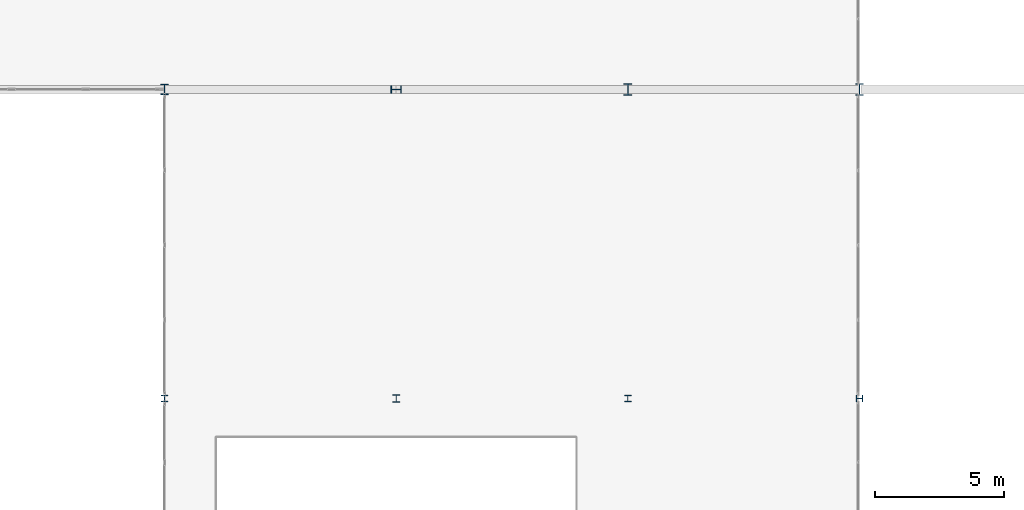
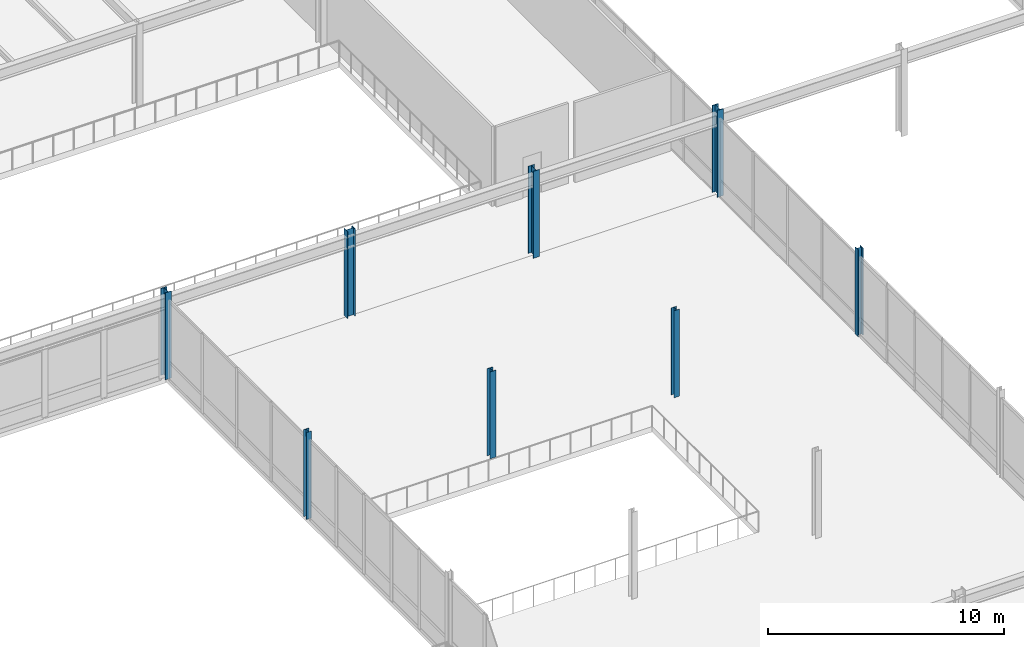
# One storey, part 9 of 115: 8 columns.
"""IFC4 building model written with IfcOpenShell, lengths in metres."""

from ifc_helpers import new_model, si_unit, direction, frame, origin, origin_2d, place, context, subcontext, project, spatial, i_section, extrude, material, material_profile, profile_set, type_object, element, save


model = new_model("IFC4")

# Units and contexts
model_context = context("Model", 3, precision=1e-05, world=origin(), true_north=direction((0.0, 1.0)))
body_context = subcontext(model_context, "Body", "Model", "MODEL_VIEW")
ifc_project = project(units=[si_unit("LENGTHUNIT", "METRE"), si_unit("AREAUNIT", "SQUARE_METRE"), si_unit("VOLUMEUNIT", "CUBIC_METRE"), si_unit("PLANEANGLEUNIT", "RADIAN"), si_unit("MASSUNIT", "GRAM", prefix="KILO")], contexts=[model_context])

# Site, building, storey
site_placement = place(None, origin())
site = spatial("IfcSite", under=ifc_project, at=site_placement, CompositionType="ELEMENT")
building_placement = place(site_placement, origin())
building = spatial("IfcBuilding", under=site, at=building_placement, Name="Montelvaro Courts of Justice", CompositionType="ELEMENT")
storey_placement = place(building_placement, frame((0.0, 0.0, 9.89990234375)))
storey = spatial("IfcBuildingStorey", under=building, at=storey_placement, Name="L02", CompositionType="ELEMENT", Elevation=9.89990234375)

# Columns
ifc_material = material(Name="Steel S355", Category="steel")
ifc_material_profile_1 = material_profile(ifc_material, i_section(OverallWidth=0.260009765625, OverallDepth=0.260009765625, WebThickness=0.010009765625, FlangeThickness=0.017578125, at=origin_2d()), Name="HEB 260")
ifc_profile_set_1 = profile_set([ifc_material_profile_1], Name="Steel S355")
column_type_1 = type_object("IfcColumnType", Name="Col_HEB260", PredefinedType="COLUMN", material=ifc_profile_set_1)
for number, where, z_axis, x_axis, name in (
    (1, (54.0, 66.0, 0.0), (0.0, 0.0, 1.0), (1.0, 0.0, 0.0), "Column C-01 L02 7/F"),
    (2, (72.0, 66.0, 0.0), (0.0, 0.0, 1.0), (1.0, 0.0, 0.0), "Column C-01 L02 9/F"),
    (3, (81.0, 66.0, 0.0), (0.0, 0.0, 1.0), (0.0, 1.0, 0.0), "Column C-01 L02 10/F"),
):
    element("IfcColumn", number, at=place(storey_placement, frame(where, z_axis=z_axis, x_axis=x_axis)), inside=storey, type_object=column_type_1, Name=name, PredefinedType="COLUMN", context=body_context, shape_type="SweptSolid", body=[
        extrude(i_section(OverallWidth=0.260009765625, OverallDepth=0.260009765625, WebThickness=0.010009765625, FlangeThickness=0.017578125, at=origin_2d()), origin(), (0.0, 0.0, 1.0), 4.5),
    ])
ifc_material_profile_2 = material_profile(ifc_material, i_section(OverallWidth=0.280029296875, OverallDepth=0.280029296875, WebThickness=0.010498046875, FlangeThickness=0.01806640625, at=origin_2d()), Name="HEB 280")
ifc_profile_set_2 = profile_set([ifc_material_profile_2], Name="Steel S355")
column_type_2 = type_object("IfcColumnType", Name="Col_HEB280", PredefinedType="COLUMN", material=ifc_profile_set_2)
column_placement = place(storey_placement, frame((63.0, 66.0, 0.0), z_axis=(0.0, 0.0, 1.0), x_axis=(1.0, 0.0, 0.0)))
element("IfcColumn", 4, at=column_placement, inside=storey, type_object=column_type_2, Name="Column C-02 L02 8/F", PredefinedType="COLUMN", context=body_context, shape_type="SweptSolid", body=[
    extrude(i_section(OverallWidth=0.280029296875, OverallDepth=0.280029296875, WebThickness=0.010498046875, FlangeThickness=0.01806640625, at=origin_2d()), origin(), (0.0, 0.0, 1.0), 4.5),
])
ifc_material_profile_3 = material_profile(ifc_material, i_section(OverallWidth=0.300048828125, OverallDepth=0.39990234375, WebThickness=0.013427734375, FlangeThickness=0.02392578125, at=origin_2d()), Name="HEB 400")
ifc_profile_set_3 = profile_set([ifc_material_profile_3], Name="Steel S355")
column_type_3 = type_object("IfcColumnType", Name="Col_HEB400", PredefinedType="COLUMN", material=ifc_profile_set_3)
for number, where, z_axis, x_axis, name in (
    (5, (54.0, 78.0, 0.0), (0.0, 0.0, 1.0), (1.0, 0.0, 0.0), "Column C-07 L02 7/G"),
    (6, (63.0, 78.0, 0.0), (0.0, 0.0, 1.0), (0.0, 1.0, 0.0), "Column C-07 L02 8/G"),
):
    element("IfcColumn", number, at=place(storey_placement, frame(where, z_axis=z_axis, x_axis=x_axis)), inside=storey, type_object=column_type_3, Name=name, PredefinedType="COLUMN", context=body_context, shape_type="SweptSolid", body=[
        extrude(i_section(OverallWidth=0.300048828125, OverallDepth=0.39990234375, WebThickness=0.013427734375, FlangeThickness=0.02392578125, at=origin_2d()), origin(), (0.0, 0.0, 1.0), 4.5),
    ])
ifc_material_profile_4 = material_profile(ifc_material, i_section(OverallWidth=0.300048828125, OverallDepth=0.449951171875, WebThickness=0.013916015625, FlangeThickness=0.02587890625, at=origin_2d()), Name="HEB 450")
ifc_profile_set_4 = profile_set([ifc_material_profile_4], Name="Steel S355")
column_type_4 = type_object("IfcColumnType", Name="Col_HEB450", PredefinedType="COLUMN", material=ifc_profile_set_4)
for number, where, z_axis, x_axis, name in (
    (7, (72.0, 78.0, 0.0), (0.0, 0.0, 1.0), (1.0, 0.0, 0.0), "Column C-08 L02 9/G"),
    (8, (81.0, 78.0, 0.0), (0.0, 0.0, 1.0), (1.0, 0.0, 0.0), "Column C-08 L02 10/G"),
):
    element("IfcColumn", number, at=place(storey_placement, frame(where, z_axis=z_axis, x_axis=x_axis)), inside=storey, type_object=column_type_4, Name=name, PredefinedType="COLUMN", context=body_context, shape_type="SweptSolid", body=[
        extrude(i_section(OverallWidth=0.300048828125, OverallDepth=0.449951171875, WebThickness=0.013916015625, FlangeThickness=0.02587890625, at=origin_2d()), origin(), (0.0, 0.0, 1.0), 4.5),
    ])

save(model, "model.ifc")
